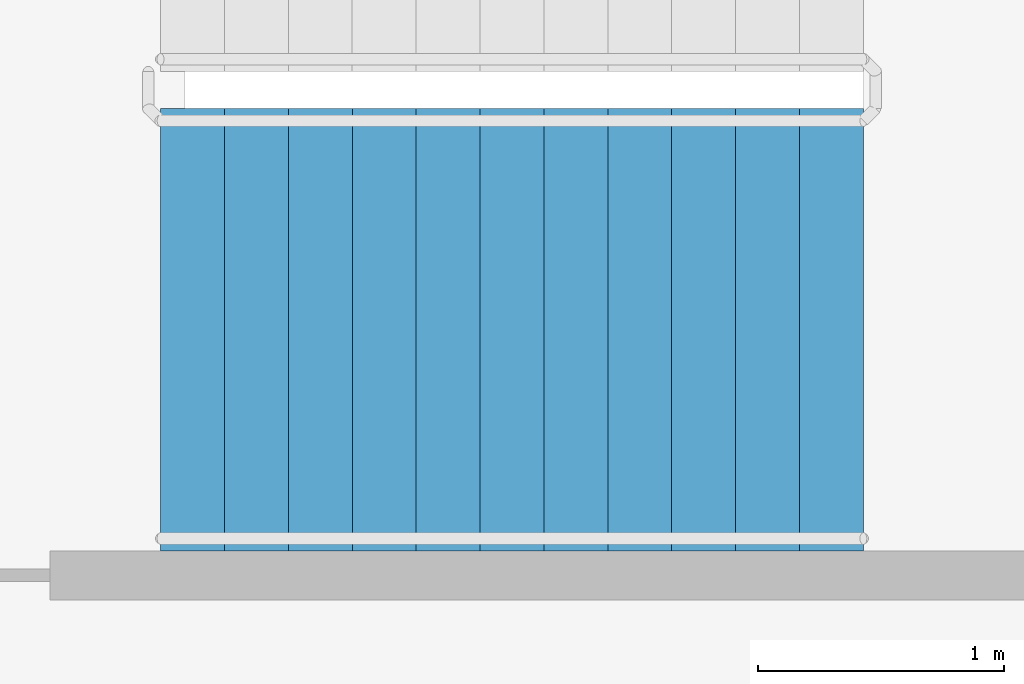
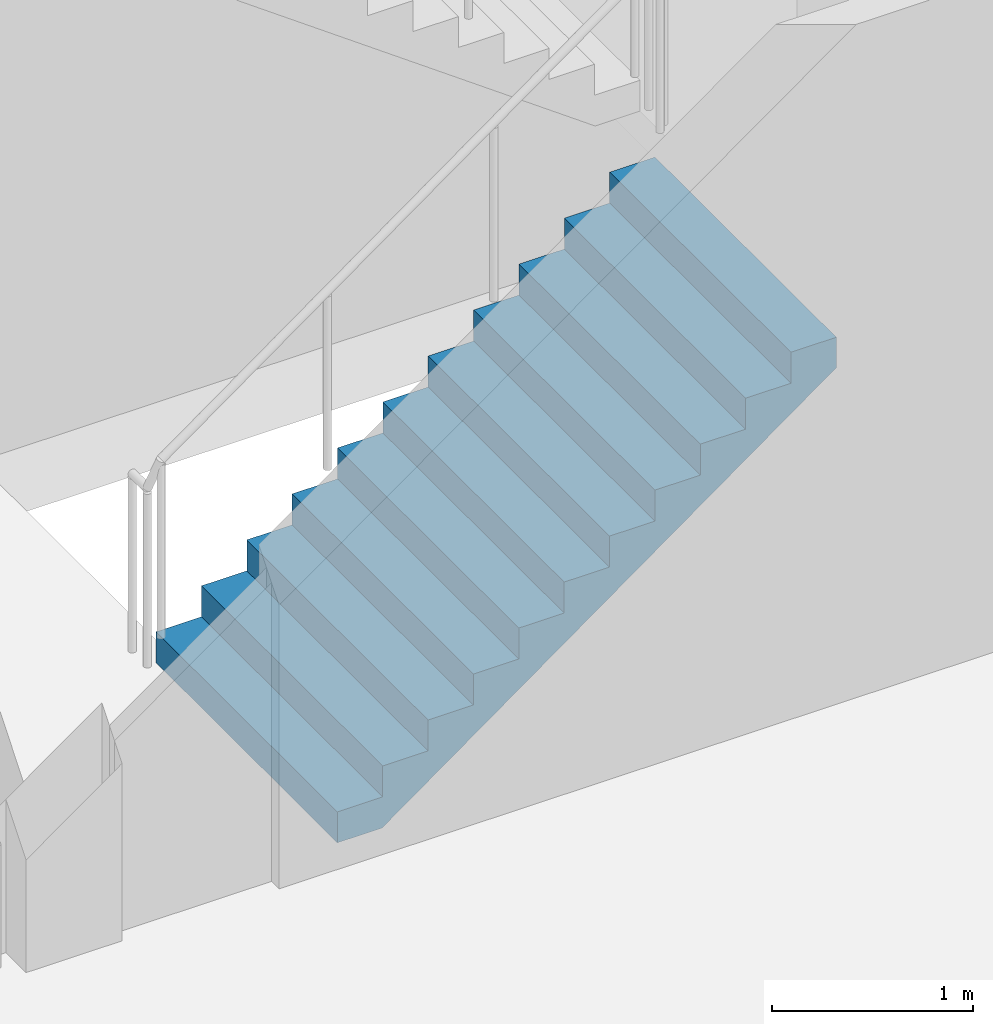
# One storey, part 36 of 49: 1 stair flight, 1 element without a shape of its own.
"""IFC4 building model written with IfcOpenShell, lengths in metres."""

from ifc_helpers import new_model, si_unit, direction, frame, origin, place, context, subcontext, project, spatial, faceted_brep, material, type_object, element, aggregate, save


model = new_model("IFC4")

# Units and contexts
model_context = context("Model", 3, precision=1e-05, world=origin(), true_north=direction((0.0, 1.0)))
body_context = subcontext(model_context, "Body", "Model", "MODEL_VIEW")
ifc_project = project(units=[si_unit("LENGTHUNIT", "METRE"), si_unit("AREAUNIT", "SQUARE_METRE"), si_unit("VOLUMEUNIT", "CUBIC_METRE"), si_unit("PLANEANGLEUNIT", "RADIAN"), si_unit("MASSUNIT", "GRAM", prefix="KILO")], contexts=[model_context])

# Site, building, storey
site_placement = place(None, origin())
site = spatial("IfcSite", under=ifc_project, at=site_placement, CompositionType="ELEMENT")
building_placement = place(site_placement, origin())
building = spatial("IfcBuilding", under=site, at=building_placement, Name="Ipe Terrace Towers", CompositionType="ELEMENT")
storey_placement = place(building_placement, frame((0.0, 0.0, 11.0)))
storey = spatial("IfcBuildingStorey", under=building, at=storey_placement, Name="L02", CompositionType="ELEMENT", Elevation=11.0)

# Stair, stair flight
ifc_material_1 = material(Name="Concrete C30/37", Category="concrete")
stair_type = type_object("IfcStairType", Name="Protected exit stair", PredefinedType="HALF_TURN_STAIR", material=ifc_material_1)
stair_placement = place(storey_placement, origin())
stair = element("IfcStair", 1, at=stair_placement, inside=storey, type_object=stair_type, Name="L02 Podium exit stair PS6", PredefinedType="HALF_TURN_STAIR")
ifc_material_2 = material(Name="Concrete C30/37", Category="concrete")
stair_flight_type = type_object("IfcStairFlightType", Name="Exit stair flight 1800", PredefinedType="STRAIGHT", material=ifc_material_2)
stair_flight_placement = place(storey_placement, frame((49.77001953125, -22.5, 0.0), z_axis=(0.0, 0.0, 1.0), x_axis=(1.0, 0.0, 0.0)))
stair_flight = element("IfcStairFlight", 2, at=stair_flight_placement, type_object=stair_flight_type, Name="PS6 flight 1", NumberOfRisers=12, NumberOfTreads=11, PredefinedType="STRAIGHT", RiserHeight=0.1875, TreadLength=0.26, context=body_context, shape_type="Brep", body=[
    faceted_brep([(0.25634765625, -0.89990234375, 0.0), (2.860107421875, -0.89990234375, 1.877685546875), (2.860107421875, -0.89990234375, 2.0625), (2.60009765625, -0.89990234375, 2.0625), (2.60009765625, -0.89990234375, 1.875), (2.340087890625, -0.89990234375, 1.875), (2.340087890625, -0.89990234375, 1.6875), (2.080078125, -0.89990234375, 1.6875), (2.080078125, -0.89990234375, 1.5), (1.820068359375, -0.89990234375, 1.5), (1.820068359375, -0.89990234375, 1.3125), (1.56005859375, -0.89990234375, 1.3125), (1.56005859375, -0.89990234375, 1.125), (1.300048828125, -0.89990234375, 1.125), (1.300048828125, -0.89990234375, 0.9375), (1.0400390625, -0.89990234375, 0.9375), (1.0400390625, -0.89990234375, 0.75), (0.780029296875, -0.89990234375, 0.75), (0.780029296875, -0.89990234375, 0.5625), (0.52001953125, -0.89990234375, 0.5625), (0.52001953125, -0.89990234375, 0.375), (0.260009765625, -0.89990234375, 0.375), (0.260009765625, -0.89990234375, 0.1875), (0.0, -0.89990234375, 0.1875), (0.0, -0.89990234375, 0.0), (0.0, 0.89990234375, 0.0), (0.0, 0.89990234375, 0.1875), (0.260009765625, 0.89990234375, 0.1875), (0.260009765625, 0.89990234375, 0.375), (0.52001953125, 0.89990234375, 0.375), (0.52001953125, 0.89990234375, 0.5625), (0.780029296875, 0.89990234375, 0.5625), (0.780029296875, 0.89990234375, 0.75), (1.0400390625, 0.89990234375, 0.75), (1.0400390625, 0.89990234375, 0.9375), (1.300048828125, 0.89990234375, 0.9375), (1.300048828125, 0.89990234375, 1.125), (1.56005859375, 0.89990234375, 1.125), (1.56005859375, 0.89990234375, 1.3125), (1.820068359375, 0.89990234375, 1.3125), (1.820068359375, 0.89990234375, 1.5), (2.080078125, 0.89990234375, 1.5), (2.080078125, 0.89990234375, 1.6875), (2.340087890625, 0.89990234375, 1.6875), (2.340087890625, 0.89990234375, 1.875), (2.60009765625, 0.89990234375, 1.875), (2.60009765625, 0.89990234375, 2.0625), (2.860107421875, 0.89990234375, 2.0625), (2.860107421875, 0.89990234375, 1.877685546875), (0.25634765625, 0.89990234375, 0.0), (0.0, -0.300048828125, 0.1875), (0.0, -0.1201171875, 0.1875), (0.0, -0.06005859375, 0.1875), (0.0, -0.030029296875, 0.1875), (0.0, -0.010009765625, 0.1875), (0.0, 0.0, 0.1875), (0.0, 0.010009765625, 0.1875), (0.0, 0.030029296875, 0.1875), (0.0, 0.06005859375, 0.1875), (0.0, 0.1201171875, 0.1875), (0.0, 0.300048828125, 0.1875), (0.0, 0.300048828125, 0.0), (0.0, 0.1201171875, 0.0), (0.0, 0.06005859375, 0.0), (0.0, 0.030029296875, 0.0), (0.0, 0.010009765625, 0.0), (0.0, 0.0, 0.0), (0.0, -0.010009765625, 0.0), (0.0, -0.030029296875, 0.0), (0.0, -0.06005859375, 0.0), (0.0, -0.1201171875, 0.0), (0.0, -0.300048828125, 0.0), (0.260009765625, -0.300048828125, 0.1875), (0.260009765625, -0.1201171875, 0.1875), (0.260009765625, -0.06005859375, 0.1875), (0.260009765625, -0.030029296875, 0.1875), (0.260009765625, -0.010009765625, 0.1875), (0.260009765625, 0.0, 0.1875), (0.260009765625, 0.010009765625, 0.1875), (0.260009765625, 0.030029296875, 0.1875), (0.260009765625, 0.06005859375, 0.1875), (0.260009765625, 0.1201171875, 0.1875), (0.260009765625, 0.300048828125, 0.1875), (0.260009765625, -0.300048828125, 0.375), (0.260009765625, -0.1201171875, 0.375), (0.260009765625, -0.06005859375, 0.375), (0.260009765625, -0.030029296875, 0.375), (0.260009765625, -0.010009765625, 0.375), (0.260009765625, 0.0, 0.375), (0.260009765625, 0.010009765625, 0.375), (0.260009765625, 0.030029296875, 0.375), (0.260009765625, 0.06005859375, 0.375), (0.260009765625, 0.1201171875, 0.375), (0.260009765625, 0.300048828125, 0.375), (0.52001953125, -0.300048828125, 0.375), (0.52001953125, -0.1201171875, 0.375), (0.52001953125, -0.06005859375, 0.375), (0.52001953125, -0.030029296875, 0.375), (0.52001953125, -0.010009765625, 0.375), (0.52001953125, 0.0, 0.375), (0.52001953125, 0.010009765625, 0.375), (0.52001953125, 0.030029296875, 0.375), (0.52001953125, 0.06005859375, 0.375), (0.52001953125, 0.1201171875, 0.375), (0.52001953125, 0.300048828125, 0.375), (0.52001953125, -0.300048828125, 0.5625), (0.52001953125, -0.1201171875, 0.5625), (0.52001953125, -0.06005859375, 0.5625), (0.52001953125, -0.030029296875, 0.5625), (0.52001953125, -0.010009765625, 0.5625), (0.52001953125, 0.0, 0.5625), (0.52001953125, 0.010009765625, 0.5625), (0.52001953125, 0.030029296875, 0.5625), (0.52001953125, 0.06005859375, 0.5625), (0.52001953125, 0.1201171875, 0.5625), (0.52001953125, 0.300048828125, 0.5625), (0.780029296875, -0.300048828125, 0.5625), (0.780029296875, -0.1201171875, 0.5625), (0.780029296875, -0.06005859375, 0.5625), (0.780029296875, -0.030029296875, 0.5625), (0.780029296875, -0.010009765625, 0.5625), (0.780029296875, 0.0, 0.5625), (0.780029296875, 0.010009765625, 0.5625), (0.780029296875, 0.030029296875, 0.5625), (0.780029296875, 0.06005859375, 0.5625), (0.780029296875, 0.1201171875, 0.5625), (0.780029296875, 0.300048828125, 0.5625), (0.780029296875, -0.300048828125, 0.75), (0.780029296875, -0.1201171875, 0.75), (0.780029296875, -0.06005859375, 0.75), (0.780029296875, -0.030029296875, 0.75), (0.780029296875, -0.010009765625, 0.75), (0.780029296875, 0.0, 0.75), (0.780029296875, 0.010009765625, 0.75), (0.780029296875, 0.030029296875, 0.75), (0.780029296875, 0.06005859375, 0.75), (0.780029296875, 0.1201171875, 0.75), (0.780029296875, 0.300048828125, 0.75), (1.0400390625, -0.300048828125, 0.75), (1.0400390625, -0.1201171875, 0.75), (1.0400390625, -0.06005859375, 0.75), (1.0400390625, -0.030029296875, 0.75), (1.0400390625, -0.010009765625, 0.75), (1.0400390625, 0.0, 0.75), (1.0400390625, 0.010009765625, 0.75), (1.0400390625, 0.030029296875, 0.75), (1.0400390625, 0.06005859375, 0.75), (1.0400390625, 0.1201171875, 0.75), (1.0400390625, 0.300048828125, 0.75), (1.0400390625, -0.300048828125, 0.9375), (1.0400390625, -0.1201171875, 0.9375), (1.0400390625, -0.06005859375, 0.9375), (1.0400390625, -0.030029296875, 0.9375), (1.0400390625, -0.010009765625, 0.9375), (1.0400390625, 0.0, 0.9375), (1.0400390625, 0.010009765625, 0.9375), (1.0400390625, 0.030029296875, 0.9375), (1.0400390625, 0.06005859375, 0.9375), (1.0400390625, 0.1201171875, 0.9375), (1.0400390625, 0.300048828125, 0.9375), (1.300048828125, -0.300048828125, 0.9375), (1.300048828125, -0.1201171875, 0.9375), (1.300048828125, -0.06005859375, 0.9375), (1.300048828125, -0.030029296875, 0.9375), (1.300048828125, -0.010009765625, 0.9375), (1.300048828125, 0.0, 0.9375), (1.300048828125, 0.010009765625, 0.9375), (1.300048828125, 0.030029296875, 0.9375), (1.300048828125, 0.06005859375, 0.9375), (1.300048828125, 0.1201171875, 0.9375), (1.300048828125, 0.300048828125, 0.9375), (1.300048828125, -0.300048828125, 1.125), (1.300048828125, -0.1201171875, 1.125), (1.300048828125, -0.06005859375, 1.125), (1.300048828125, -0.030029296875, 1.125), (1.300048828125, -0.010009765625, 1.125), (1.300048828125, 0.0, 1.125), (1.300048828125, 0.010009765625, 1.125), (1.300048828125, 0.030029296875, 1.125), (1.300048828125, 0.06005859375, 1.125), (1.300048828125, 0.1201171875, 1.125), (1.300048828125, 0.300048828125, 1.125), (1.56005859375, -0.300048828125, 1.125), (1.56005859375, -0.1201171875, 1.125), (1.56005859375, -0.06005859375, 1.125), (1.56005859375, -0.030029296875, 1.125), (1.56005859375, -0.010009765625, 1.125), (1.56005859375, 0.0, 1.125), (1.56005859375, 0.010009765625, 1.125), (1.56005859375, 0.030029296875, 1.125), (1.56005859375, 0.06005859375, 1.125), (1.56005859375, 0.1201171875, 1.125), (1.56005859375, 0.300048828125, 1.125), (1.56005859375, -0.300048828125, 1.3125), (1.56005859375, -0.1201171875, 1.3125), (1.56005859375, -0.06005859375, 1.3125), (1.56005859375, -0.030029296875, 1.3125), (1.56005859375, -0.010009765625, 1.3125), (1.56005859375, 0.0, 1.3125), (1.56005859375, 0.010009765625, 1.3125), (1.56005859375, 0.030029296875, 1.3125), (1.56005859375, 0.06005859375, 1.3125), (1.56005859375, 0.1201171875, 1.3125), (1.56005859375, 0.300048828125, 1.3125), (1.820068359375, -0.300048828125, 1.3125), (1.820068359375, -0.1201171875, 1.3125), (1.820068359375, -0.06005859375, 1.3125), (1.820068359375, -0.030029296875, 1.3125), (1.820068359375, -0.010009765625, 1.3125), (1.820068359375, 0.0, 1.3125), (1.820068359375, 0.010009765625, 1.3125), (1.820068359375, 0.030029296875, 1.3125), (1.820068359375, 0.06005859375, 1.3125), (1.820068359375, 0.1201171875, 1.3125), (1.820068359375, 0.300048828125, 1.3125), (1.820068359375, -0.300048828125, 1.5), (1.820068359375, -0.1201171875, 1.5), (1.820068359375, -0.06005859375, 1.5), (1.820068359375, -0.030029296875, 1.5), (1.820068359375, -0.010009765625, 1.5), (1.820068359375, 0.0, 1.5), (1.820068359375, 0.010009765625, 1.5), (1.820068359375, 0.030029296875, 1.5), (1.820068359375, 0.06005859375, 1.5), (1.820068359375, 0.1201171875, 1.5), (1.820068359375, 0.300048828125, 1.5), (2.080078125, -0.300048828125, 1.5), (2.080078125, -0.1201171875, 1.5), (2.080078125, -0.06005859375, 1.5), (2.080078125, -0.030029296875, 1.5), (2.080078125, -0.010009765625, 1.5), (2.080078125, 0.0, 1.5), (2.080078125, 0.010009765625, 1.5), (2.080078125, 0.030029296875, 1.5), (2.080078125, 0.06005859375, 1.5), (2.080078125, 0.1201171875, 1.5), (2.080078125, 0.300048828125, 1.5), (2.080078125, -0.300048828125, 1.6875), (2.080078125, -0.1201171875, 1.6875), (2.080078125, -0.06005859375, 1.6875), (2.080078125, -0.030029296875, 1.6875), (2.080078125, -0.010009765625, 1.6875), (2.080078125, 0.0, 1.6875), (2.080078125, 0.010009765625, 1.6875), (2.080078125, 0.030029296875, 1.6875), (2.080078125, 0.06005859375, 1.6875), (2.080078125, 0.1201171875, 1.6875), (2.080078125, 0.300048828125, 1.6875), (2.340087890625, -0.300048828125, 1.6875), (2.340087890625, -0.1201171875, 1.6875), (2.340087890625, -0.06005859375, 1.6875), (2.340087890625, -0.030029296875, 1.6875), (2.340087890625, -0.010009765625, 1.6875), (2.340087890625, 0.0, 1.6875), (2.340087890625, 0.010009765625, 1.6875), (2.340087890625, 0.030029296875, 1.6875), (2.340087890625, 0.06005859375, 1.6875), (2.340087890625, 0.1201171875, 1.6875), (2.340087890625, 0.300048828125, 1.6875), (2.340087890625, -0.300048828125, 1.875), (2.340087890625, -0.1201171875, 1.875), (2.340087890625, -0.06005859375, 1.875), (2.340087890625, -0.030029296875, 1.875), (2.340087890625, -0.010009765625, 1.875), (2.340087890625, 0.0, 1.875), (2.340087890625, 0.010009765625, 1.875), (2.340087890625, 0.030029296875, 1.875), (2.340087890625, 0.06005859375, 1.875), (2.340087890625, 0.1201171875, 1.875), (2.340087890625, 0.300048828125, 1.875), (2.60009765625, -0.300048828125, 1.875), (2.60009765625, -0.1201171875, 1.875), (2.60009765625, -0.06005859375, 1.875), (2.60009765625, -0.030029296875, 1.875), (2.60009765625, -0.010009765625, 1.875), (2.60009765625, 0.0, 1.875), (2.60009765625, 0.010009765625, 1.875), (2.60009765625, 0.030029296875, 1.875), (2.60009765625, 0.06005859375, 1.875), (2.60009765625, 0.1201171875, 1.875), (2.60009765625, 0.300048828125, 1.875), (2.60009765625, -0.300048828125, 2.0625), (2.60009765625, -0.1201171875, 2.0625), (2.60009765625, -0.06005859375, 2.0625), (2.60009765625, -0.030029296875, 2.0625), (2.60009765625, -0.010009765625, 2.0625), (2.60009765625, 0.0, 2.0625), (2.60009765625, 0.010009765625, 2.0625), (2.60009765625, 0.030029296875, 2.0625), (2.60009765625, 0.06005859375, 2.0625), (2.60009765625, 0.1201171875, 2.0625), (2.60009765625, 0.300048828125, 2.0625), (2.860107421875, -0.300048828125, 2.0625), (2.860107421875, -0.1201171875, 2.0625), (2.860107421875, -0.06005859375, 2.0625), (2.860107421875, -0.030029296875, 2.0625), (2.860107421875, -0.010009765625, 2.0625), (2.860107421875, 0.0, 2.0625), (2.860107421875, 0.010009765625, 2.0625), (2.860107421875, 0.030029296875, 2.0625), (2.860107421875, 0.06005859375, 2.0625), (2.860107421875, 0.1201171875, 2.0625), (2.860107421875, 0.300048828125, 2.0625), (2.860107421875, -0.300048828125, 1.877685546875), (2.860107421875, -0.1201171875, 1.877685546875), (2.860107421875, -0.06005859375, 1.877685546875), (2.860107421875, -0.030029296875, 1.877685546875), (2.860107421875, -0.010009765625, 1.877685546875), (2.860107421875, 0.0, 1.877685546875), (2.860107421875, 0.010009765625, 1.877685546875), (2.860107421875, 0.030029296875, 1.877685546875), (2.860107421875, 0.06005859375, 1.877685546875), (2.860107421875, 0.1201171875, 1.877685546875), (2.860107421875, 0.300048828125, 1.877685546875), (0.25634765625, -0.300048828125, 0.0), (0.25634765625, -0.1201171875, 0.0), (0.25634765625, -0.06005859375, 0.0), (0.25634765625, -0.030029296875, 0.0), (0.25634765625, -0.010009765625, 0.0), (0.25634765625, 0.0, 0.0), (0.25634765625, 0.010009765625, 0.0), (0.25634765625, 0.030029296875, 0.0), (0.25634765625, 0.06005859375, 0.0), (0.25634765625, 0.1201171875, 0.0), (0.25634765625, 0.300048828125, 0.0)], [[[0, 1, 2, 3, 4, 5, 6, 7, 8, 9, 10, 11, 12, 13, 14, 15, 16, 17, 18, 19, 20, 21, 22, 23, 24]], [[25, 26, 27, 28, 29, 30, 31, 32, 33, 34, 35, 36, 37, 38, 39, 40, 41, 42, 43, 44, 45, 46, 47, 48, 49]], [[23, 50, 51, 52, 53, 54, 55, 56, 57, 58, 59, 60, 26, 25, 61, 62, 63, 64, 65, 66, 67, 68, 69, 70, 71, 24]], [[22, 72, 73, 74, 75, 76, 77, 78, 79, 80, 81, 82, 27, 26, 60, 59, 58, 57, 56, 55, 54, 53, 52, 51, 50, 23]], [[21, 83, 84, 85, 86, 87, 88, 89, 90, 91, 92, 93, 28, 27, 82, 81, 80, 79, 78, 77, 76, 75, 74, 73, 72, 22]], [[20, 94, 95, 96, 97, 98, 99, 100, 101, 102, 103, 104, 29, 28, 93, 92, 91, 90, 89, 88, 87, 86, 85, 84, 83, 21]], [[19, 105, 106, 107, 108, 109, 110, 111, 112, 113, 114, 115, 30, 29, 104, 103, 102, 101, 100, 99, 98, 97, 96, 95, 94, 20]], [[18, 116, 117, 118, 119, 120, 121, 122, 123, 124, 125, 126, 31, 30, 115, 114, 113, 112, 111, 110, 109, 108, 107, 106, 105, 19]], [[17, 127, 128, 129, 130, 131, 132, 133, 134, 135, 136, 137, 32, 31, 126, 125, 124, 123, 122, 121, 120, 119, 118, 117, 116, 18]], [[16, 138, 139, 140, 141, 142, 143, 144, 145, 146, 147, 148, 33, 32, 137, 136, 135, 134, 133, 132, 131, 130, 129, 128, 127, 17]], [[15, 149, 150, 151, 152, 153, 154, 155, 156, 157, 158, 159, 34, 33, 148, 147, 146, 145, 144, 143, 142, 141, 140, 139, 138, 16]], [[14, 160, 161, 162, 163, 164, 165, 166, 167, 168, 169, 170, 35, 34, 159, 158, 157, 156, 155, 154, 153, 152, 151, 150, 149, 15]], [[13, 171, 172, 173, 174, 175, 176, 177, 178, 179, 180, 181, 36, 35, 170, 169, 168, 167, 166, 165, 164, 163, 162, 161, 160, 14]], [[12, 182, 183, 184, 185, 186, 187, 188, 189, 190, 191, 192, 37, 36, 181, 180, 179, 178, 177, 176, 175, 174, 173, 172, 171, 13]], [[11, 193, 194, 195, 196, 197, 198, 199, 200, 201, 202, 203, 38, 37, 192, 191, 190, 189, 188, 187, 186, 185, 184, 183, 182, 12]], [[10, 204, 205, 206, 207, 208, 209, 210, 211, 212, 213, 214, 39, 38, 203, 202, 201, 200, 199, 198, 197, 196, 195, 194, 193, 11]], [[9, 215, 216, 217, 218, 219, 220, 221, 222, 223, 224, 225, 40, 39, 214, 213, 212, 211, 210, 209, 208, 207, 206, 205, 204, 10]], [[8, 226, 227, 228, 229, 230, 231, 232, 233, 234, 235, 236, 41, 40, 225, 224, 223, 222, 221, 220, 219, 218, 217, 216, 215, 9]], [[7, 237, 238, 239, 240, 241, 242, 243, 244, 245, 246, 247, 42, 41, 236, 235, 234, 233, 232, 231, 230, 229, 228, 227, 226, 8]], [[6, 248, 249, 250, 251, 252, 253, 254, 255, 256, 257, 258, 43, 42, 247, 246, 245, 244, 243, 242, 241, 240, 239, 238, 237, 7]], [[5, 259, 260, 261, 262, 263, 264, 265, 266, 267, 268, 269, 44, 43, 258, 257, 256, 255, 254, 253, 252, 251, 250, 249, 248, 6]], [[4, 270, 271, 272, 273, 274, 275, 276, 277, 278, 279, 280, 45, 44, 269, 268, 267, 266, 265, 264, 263, 262, 261, 260, 259, 5]], [[3, 281, 282, 283, 284, 285, 286, 287, 288, 289, 290, 291, 46, 45, 280, 279, 278, 277, 276, 275, 274, 273, 272, 271, 270, 4]], [[2, 292, 293, 294, 295, 296, 297, 298, 299, 300, 301, 302, 47, 46, 291, 290, 289, 288, 287, 286, 285, 284, 283, 282, 281, 3]], [[1, 303, 304, 305, 306, 307, 308, 309, 310, 311, 312, 313, 48, 47, 302, 301, 300, 299, 298, 297, 296, 295, 294, 293, 292, 2]], [[0, 314, 315, 316, 317, 318, 319, 320, 321, 322, 323, 324, 49, 48, 313, 312, 311, 310, 309, 308, 307, 306, 305, 304, 303, 1]], [[24, 71, 70, 69, 68, 67, 66, 65, 64, 63, 62, 61, 25, 49, 324, 323, 322, 321, 320, 319, 318, 317, 316, 315, 314, 0]]]),
])
aggregate(stair, [stair_flight])

save(model, "model.ifc")
